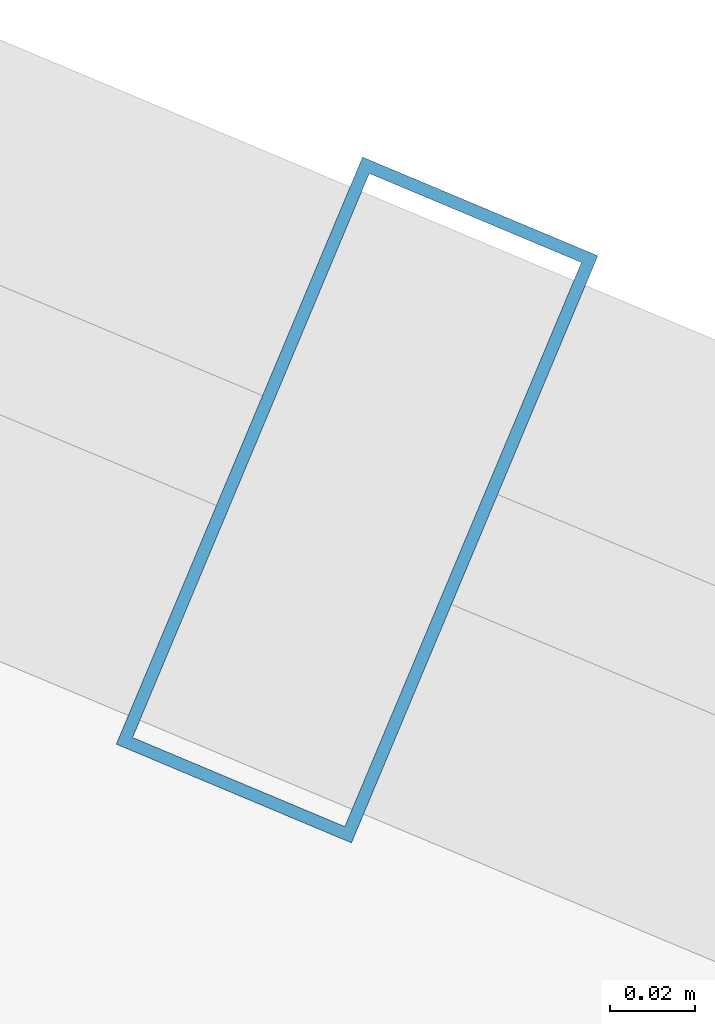
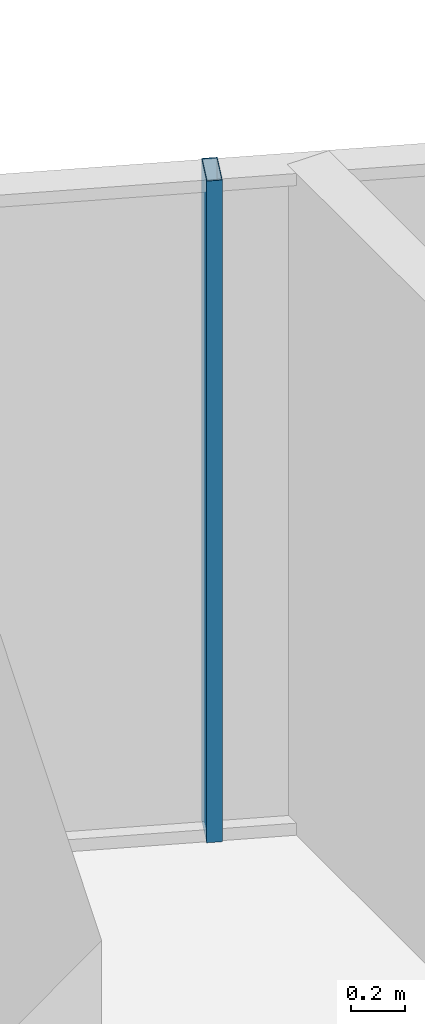
# One storey, part 24 of 32: 1 member, 1 element without a shape of its own.
"""IFC4 building model written with IfcOpenShell, lengths in metres."""

from ifc_helpers import new_model, si_unit, direction, frame, origin, origin_2d, place, context, subcontext, project, spatial, hollow_rectangle, extrude, source, transform, mapped, material, layer, layer_set, material_profile, profile_set, type_object, element, aggregate, save


model = new_model("IFC4")

# Units and contexts
model_context = context("Model", 3, precision=1e-05, world=origin(), true_north=direction((0.0, 1.0)))
body_context = subcontext(model_context, "Body", "Model", "MODEL_VIEW")
ifc_project = project(units=[si_unit("LENGTHUNIT", "METRE"), si_unit("AREAUNIT", "SQUARE_METRE"), si_unit("VOLUMEUNIT", "CUBIC_METRE"), si_unit("PLANEANGLEUNIT", "RADIAN"), si_unit("MASSUNIT", "GRAM", prefix="KILO")], contexts=[model_context])

# Site, building, storey
site_placement = place(None, origin())
site = spatial("IfcSite", under=ifc_project, at=site_placement, CompositionType="ELEMENT")
building_placement = place(site_placement, origin())
building = spatial("IfcBuilding", under=site, at=building_placement, Name="Veraguas Prism Commons", CompositionType="ELEMENT")
storey_placement = place(building_placement, frame((0.0, 0.0, 182.10009765625)))
storey = spatial("IfcBuildingStorey", under=building, at=storey_placement, Name="L51", CompositionType="ELEMENT", Elevation=182.10009765625)

# Curtain wall, member
ifc_material = material(Name="Anodised aluminium EN AW-6063 T6", Category="aluminium")
ifc_layer = layer(ifc_material, 0.14990234375, Name="Unitised Flush Curtain Wall Zone 3", Category="aluminium")
ifc_layer_set = layer_set([ifc_layer], Name="Anodised aluminium EN AW-6063 T6")
curtain_wall_type = type_object("IfcCurtainWallType", Name="Unitised Flush Curtain Wall Zone 3", PredefinedType="NOTDEFINED", material=ifc_layer_set)
curtain_wall_placement = place(storey_placement, origin())
curtain_wall = element("IfcCurtainWall", 1, at=curtain_wall_placement, inside=storey, type_object=curtain_wall_type, Name="Tower Facade Curtain Wall L51-F1", PredefinedType="NOTDEFINED")
ifc_material_profile = material_profile(ifc_material, hollow_rectangle(XDim=0.06005859375, YDim=0.14990234375, WallThickness=0.0029296875, at=origin_2d()), Name="AL60X150X3")
ifc_profile_set = profile_set([ifc_material_profile], Name="Anodised aluminium EN AW-6063 T6")
member_type = type_object("IfcMemberType", Name="Curtain Wall Mullion Upper AL 60x150x3", PredefinedType="MULLION", material=ifc_profile_set)
shared_shape = source(origin(), body_context, "Body", "SweptSolid", [
    extrude(hollow_rectangle(XDim=0.06005859375, YDim=0.14990234375, WallThickness=0.0029296875, at=origin_2d()), origin(), (0.0, 0.0, 1.0), 3.014892578125),
])
member_placement = place(storey_placement, frame((30.8515625, 40.331298828125, 0.0), z_axis=(0.0, 0.0, 1.0), x_axis=(-0.922134139047, 0.386870300752, 0.0)))
member = element("IfcMember", 2, at=member_placement, type_object=member_type, Name="CW-Z3 Mullion 3", PredefinedType="MULLION", context=body_context, shape_type="MappedRepresentation", body=[
    mapped(shared_shape, transform((0.0, 0.0, 0.0), scale=1.0)),
])
aggregate(curtain_wall, [member])

save(model, "model.ifc")
